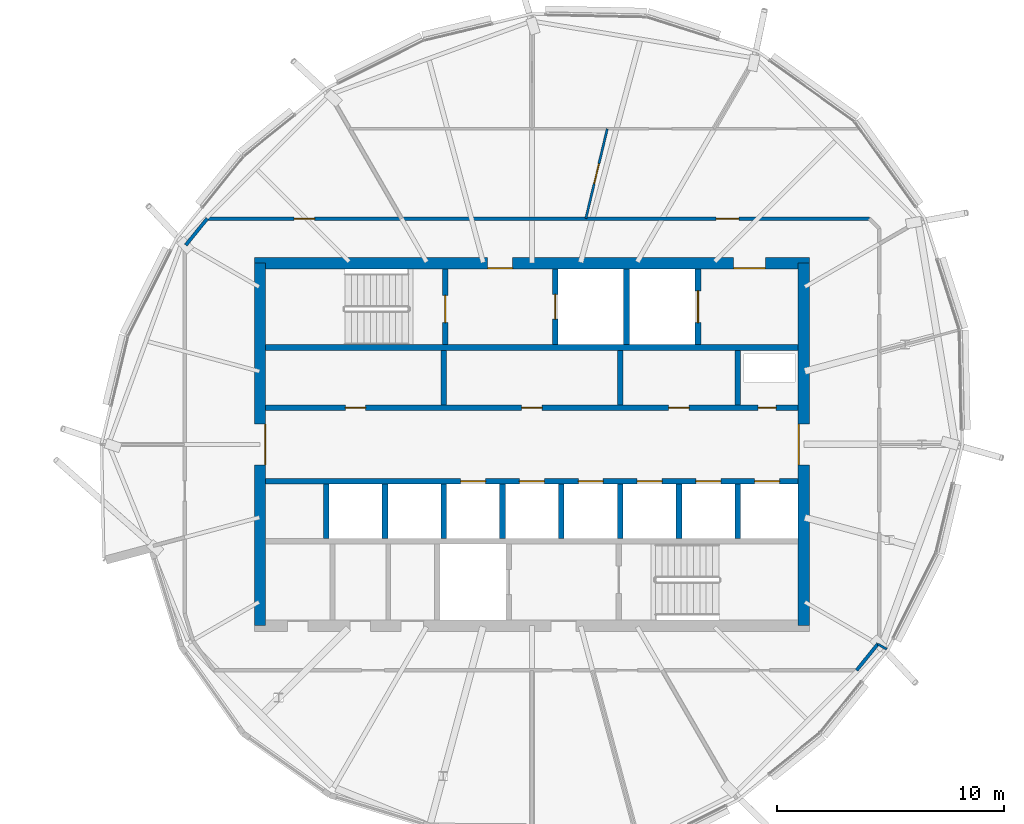
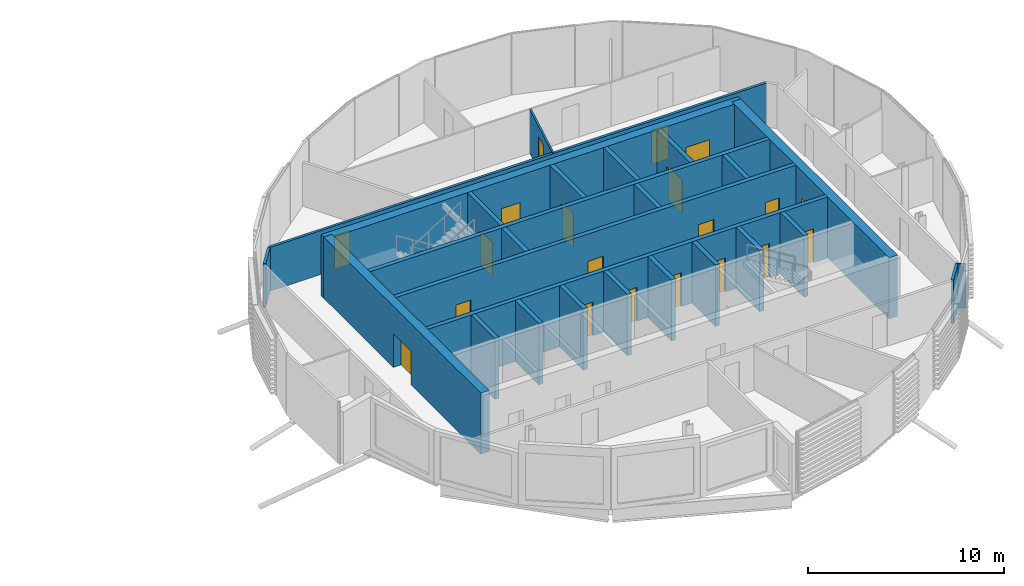
# One storey, part 22 of 36: 26 walls, 20 doors, 20 openings.
"""IFC4 building model written with IfcOpenShell, lengths in metres."""

from ifc_helpers import new_model, si_unit, direction, frame, frame_2d, origin, place, context, subcontext, project, spatial, rectangle, extrude, material, layer, layer_set, type_object, element, fill, save


model = new_model("IFC4")

# Units and contexts
model_context = context("Model", 3, precision=1e-05, world=origin(), true_north=direction((0.0, 1.0)))
body_context = subcontext(model_context, "Body", "Model", "MODEL_VIEW")
ifc_project = project(units=[si_unit("LENGTHUNIT", "METRE"), si_unit("AREAUNIT", "SQUARE_METRE"), si_unit("VOLUMEUNIT", "CUBIC_METRE"), si_unit("PLANEANGLEUNIT", "RADIAN"), si_unit("MASSUNIT", "GRAM", prefix="KILO")], contexts=[model_context])

# Site, building, storey
site_placement = place(None, origin())
site = spatial("IfcSite", under=ifc_project, at=site_placement, CompositionType="ELEMENT")
building_placement = place(site_placement, origin())
building = spatial("IfcBuilding", under=site, at=building_placement, Name="Rimbun Link Towers", CompositionType="ELEMENT")
storey_placement = place(building_placement, frame((0.0, 0.0, 248.5)))
storey = spatial("IfcBuildingStorey", under=building, at=storey_placement, Name="L61", CompositionType="ELEMENT", Elevation=248.5)

# Wall, openings, doors
ifc_material_1 = material(Name="Concrete C60/75", Category="concrete")
ifc_layer_1 = layer(ifc_material_1, 0.5)
ifc_layer_set_1 = layer_set([ifc_layer_1], Name="Core shear wall 500")
wall_type_1 = type_object("IfcWallType", Name="Core shear wall 500", PredefinedType="SHEAR", material=ifc_layer_set_1)
wall_1_placement = place(storey_placement, frame((19.5, 8.0, 0.0), z_axis=(0.0, 0.0, 1.0), x_axis=(1.0, 0.0, 0.0)))
wall_1 = element("IfcWall", 1, at=wall_1_placement, inside=storey, type_object=wall_type_1, Name="L61 T2 core wall N", PredefinedType="SHEAR", context=body_context, shape_type="SweptSolid", body=[
    extrude(rectangle(XDim=24.5, YDim=0.5, at=frame_2d((12.25, 0.0))), origin(), (0.0, 0.0, 1.0), 3.800048828125),
])
opening_1_placement = place(wall_1_placement, frame((10.300048828125, 0.0, 0.0)))
opening_1 = element("IfcOpeningElement", 2, at=opening_1_placement, cuts=wall_1, Name="Opening C2DCF01N", PredefinedType="OPENING", context=body_context, shape_type="SweptSolid", body=[
    extrude(rectangle(XDim=1.10009765625, YDim=2.10009765625, at=frame_2d((0.550048828125, 1.050048828125))), frame((0.0, 0.260009765625, 0.0), z_axis=(0.0, -1.0, 0.0), x_axis=(1.0, 0.0, 0.0)), (0.0, 0.0, 1.0), 0.52001953125),
])
opening_2_placement = place(wall_1_placement, frame((21.14990234375, 0.0, 0.0)))
opening_2 = element("IfcOpeningElement", 3, at=opening_2_placement, cuts=wall_1, Name="Opening C2DSL02N", PredefinedType="OPENING", context=body_context, shape_type="SweptSolid", body=[
    extrude(rectangle(XDim=1.39990234375, YDim=2.10009765625, at=frame_2d((0.699951171875, 1.050048828125))), frame((0.0, 0.260009765625, 0.0), z_axis=(0.0, -1.0, 0.0), x_axis=(1.0, 0.0, 0.0)), (0.0, 0.0, 1.0), 0.52001953125),
])
ifc_material_2 = material(Name="Steel fire door set", Category="steel")
door_type_1 = type_object("IfcDoorType", Name="Core fire door single", OperationType="SINGLE_SWING_LEFT", PredefinedType="DOOR", material=ifc_material_2)
door_1_placement = place(opening_1_placement, origin())
door_1 = element("IfcDoor", 4, at=door_1_placement, inside=storey, type_object=door_type_1, Name="L61 T2 firefighting lobby n door", OperationType="SINGLE_SWING_LEFT", OverallHeight=2.10009765625, OverallWidth=1.10009765625, PredefinedType="DOOR", context=body_context, shape_type="SweptSolid", body=[
    extrude(rectangle(XDim=1.10009765625, YDim=2.10009765625, at=frame_2d((0.550048828125, 1.050048828125))), frame((0.0, -0.2001953125, 0.0), z_axis=(0.0, -1.0, 0.0), x_axis=(1.0, 0.0, 0.0)), (0.0, 0.0, 1.0), 0.050048828125),
])
fill(opening_1, door_1)
ifc_material_3 = material(Name="Steel fire door set", Category="steel")
door_type_2 = type_object("IfcDoorType", Name="Service lobby door double", OperationType="DOUBLE_DOOR_SINGLE_SWING", PredefinedType="DOOR", material=ifc_material_3)
door_2_placement = place(opening_2_placement, origin())
door_2 = element("IfcDoor", 5, at=door_2_placement, inside=storey, type_object=door_type_2, Name="L61 T2 service lobby door", OperationType="DOUBLE_DOOR_SINGLE_SWING", OverallHeight=2.10009765625, OverallWidth=1.39990234375, PredefinedType="DOOR", context=body_context, shape_type="SweptSolid", body=[
    extrude(rectangle(XDim=1.39990234375, YDim=2.10009765625, at=frame_2d((0.699951171875, 1.050048828125))), frame((0.0, -0.2001953125, 0.0), z_axis=(0.0, -1.0, 0.0), x_axis=(1.0, 0.0, 0.0)), (0.0, 0.0, 1.0), 0.050048828125),
])
fill(opening_2, door_2)

# Wall, opening, door
wall_2_placement = place(storey_placement, frame((43.75, -8.0, 0.0), z_axis=(0.0, 0.0, 1.0), x_axis=(0.0, 1.0, 0.0)))
wall_2 = element("IfcWall", 6, at=wall_2_placement, inside=storey, type_object=wall_type_1, Name="L61 T2 core wall E", PredefinedType="SHEAR", context=body_context, shape_type="SweptSolid", body=[
    extrude(rectangle(XDim=16.0, YDim=0.5, at=frame_2d((8.0, 0.0))), origin(), (0.0, 0.0, 1.0), 3.800048828125),
])
opening_3_placement = place(wall_2_placement, frame((7.10009765625, 0.0, 0.0)))
opening_3 = element("IfcOpeningElement", 7, at=opening_3_placement, cuts=wall_2, Name="Opening C2DCL01E", PredefinedType="OPENING", context=body_context, shape_type="SweptSolid", body=[
    extrude(rectangle(XDim=1.800048828125, YDim=2.10009765625, at=frame_2d((0.89990234375, 1.050048828125))), frame((0.0, 0.260009765625, 0.0), z_axis=(0.0, -1.0, 0.0), x_axis=(1.0, 0.0, 0.0)), (0.0, 0.0, 1.0), 0.52001953125),
])
ifc_material_4 = material(Name="Steel fire door set", Category="steel")
door_type_3 = type_object("IfcDoorType", Name="Core lobby door double", OperationType="DOUBLE_DOOR_SINGLE_SWING", PredefinedType="DOOR", material=ifc_material_4)
door_3_placement = place(opening_3_placement, origin())
door_3 = element("IfcDoor", 8, at=door_3_placement, inside=storey, type_object=door_type_3, Name="L61 T2 lift lobby door", OperationType="DOUBLE_DOOR_SINGLE_SWING", OverallHeight=2.10009765625, OverallWidth=1.800048828125, PredefinedType="DOOR", context=body_context, shape_type="SweptSolid", body=[
    extrude(rectangle(XDim=1.800048828125, YDim=2.10009765625, at=frame_2d((0.89990234375, 1.050048828125))), frame((0.0, 0.25, 0.0), z_axis=(0.0, -1.0, 0.0), x_axis=(1.0, 0.0, 0.0)), (0.0, 0.0, 1.0), 0.050048828125),
])
fill(opening_3, door_3)

wall_3_placement = place(storey_placement, frame((19.75, -8.0, 0.0), z_axis=(0.0, 0.0, 1.0), x_axis=(0.0, 1.0, 0.0)))
wall_3 = element("IfcWall", 9, at=wall_3_placement, inside=storey, type_object=wall_type_1, Name="L61 T2 core wall W", PredefinedType="SHEAR", context=body_context, shape_type="SweptSolid", body=[
    extrude(rectangle(XDim=16.0, YDim=0.5, at=frame_2d((8.0, 0.0))), origin(), (0.0, 0.0, 1.0), 3.800048828125),
])
opening_4_placement = place(wall_3_placement, frame((7.10009765625, 0.0, 0.0)))
opening_4 = element("IfcOpeningElement", 10, at=opening_4_placement, cuts=wall_3, Name="Opening C2DCL01W", PredefinedType="OPENING", context=body_context, shape_type="SweptSolid", body=[
    extrude(rectangle(XDim=1.800048828125, YDim=2.10009765625, at=frame_2d((0.89990234375, 1.050048828125))), frame((0.0, 0.260009765625, 0.0), z_axis=(0.0, -1.0, 0.0), x_axis=(1.0, 0.0, 0.0)), (0.0, 0.0, 1.0), 0.52001953125),
])
door_4_placement = place(opening_4_placement, origin())
door_4 = element("IfcDoor", 11, at=door_4_placement, inside=storey, type_object=door_type_3, Name="L61 T2 lift lobby door", OperationType="DOUBLE_DOOR_SINGLE_SWING", OverallHeight=2.10009765625, OverallWidth=1.800048828125, PredefinedType="DOOR", context=body_context, shape_type="SweptSolid", body=[
    extrude(rectangle(XDim=1.800048828125, YDim=2.10009765625, at=frame_2d((0.89990234375, 1.050048828125))), frame((0.0, -0.2001953125, 0.0), z_axis=(0.0, -1.0, 0.0), x_axis=(1.0, 0.0, 0.0)), (0.0, 0.0, 1.0), 0.050048828125),
])
fill(opening_4, door_4)

# Walls
ifc_material_5 = material(Name="Plasterboard on steel stud, mineral wool", Category="steel")
ifc_layer_2 = layer(ifc_material_5, 0.14990234375)
ifc_layer_set_2 = layer_set([ifc_layer_2], Name="Corridor wall EI 30 150 mm")
wall_type_2 = type_object("IfcWallType", Name="Corridor wall EI 30 150 mm", PredefinedType="PARTITIONING", material=ifc_layer_set_2)
for number, where, z_axis, x_axis, name in (
    (12, (46.07568359375, -9.965087890625, 0.0), (0.0, 0.0, 1.0), (0.629146995638, 0.77728634227, 0.0), "Corridor wall EI 30 150 mm"),
    (13, (17.42431640625, 9.965087890625, 0.0), (0.0, 0.0, 1.0), (-0.629146995638, -0.77728634227, 0.0), "Corridor wall EI 30 150 mm"),
):
    element("IfcWall", number, at=place(storey_placement, frame(where, z_axis=z_axis, x_axis=x_axis)), inside=storey, type_object=wall_type_2, Name=name, PredefinedType="PARTITIONING", context=body_context, shape_type="SweptSolid", body=[
        extrude(rectangle(XDim=1.508056640625, YDim=0.14990234375, at=frame_2d((0.75390625, 0.0))), origin(), (0.0, 0.0, 1.0), 2.721923828125),
    ])

# Wall, openings, doors
wall_4_placement = place(storey_placement, frame((17.42431640625, 9.965087890625, 0.0), z_axis=(0.0, 0.0, 1.0), x_axis=(1.0, 0.0, 0.0)))
wall_4 = element("IfcWall", 14, at=wall_4_placement, inside=storey, type_object=wall_type_2, Name="Corridor wall EI 30 150 mm", PredefinedType="PARTITIONING", context=body_context, shape_type="SweptSolid", body=[
    extrude(rectangle(XDim=29.20947265625, YDim=0.14990234375, at=frame_2d((14.604736328125, 0.0))), origin(), (0.0, 0.0, 1.0), 2.721923828125),
])
opening_5_placement = place(wall_4_placement, frame((22.456787109375, 0.0, 0.0)))
opening_5 = element("IfcOpeningElement", 15, at=opening_5_placement, cuts=wall_4, Name="Opening D01", PredefinedType="OPENING", context=body_context, shape_type="SweptSolid", body=[
    extrude(rectangle(XDim=1.0, YDim=2.10009765625, at=frame_2d((0.5, 1.050048828125))), frame((0.0, 0.0849609375, 0.0), z_axis=(0.0, -1.0, 0.0), x_axis=(1.0, 0.0, 0.0)), (0.0, 0.0, 1.0), 0.169921875),
])
opening_6_placement = place(wall_4_placement, frame((3.836181640625, 0.0, 0.0)))
opening_6 = element("IfcOpeningElement", 16, at=opening_6_placement, cuts=wall_4, Name="Opening D02", PredefinedType="OPENING", context=body_context, shape_type="SweptSolid", body=[
    extrude(rectangle(XDim=0.89990234375, YDim=2.10009765625, at=frame_2d((0.449951171875, 1.050048828125))), frame((0.0, 0.0849609375, 0.0), z_axis=(0.0, -1.0, 0.0), x_axis=(1.0, 0.0, 0.0)), (0.0, 0.0, 1.0), 0.169921875),
])
ifc_material_6 = material(Name="Fire-resisting timber door leaf", Category="wood")
door_type_4 = type_object("IfcDoorType", Name="Fire door FD30S 1000", OperationType="NOTDEFINED", PredefinedType="DOOR", material=ifc_material_6)
door_5_placement = place(opening_5_placement, origin())
door_5 = element("IfcDoor", 17, at=door_5_placement, inside=storey, type_object=door_type_4, Name="Fire door FD30S 1000 to Reception", OperationType="SINGLE_SWING_LEFT", OverallHeight=2.10009765625, OverallWidth=1.0, PredefinedType="DOOR", context=body_context, shape_type="SweptSolid", body=[
    extrude(rectangle(XDim=1.0, YDim=2.10009765625, at=frame_2d((0.5, 1.050048828125))), frame((0.0, 0.02490234375, 0.0), z_axis=(0.0, -1.0, 0.0), x_axis=(1.0, 0.0, 0.0)), (0.0, 0.0, 1.0), 0.050048828125),
])
fill(opening_5, door_5)
ifc_material_7 = material(Name="Fire-resisting timber door leaf", Category="wood")
door_type_5 = type_object("IfcDoorType", Name="Fire door FD30S 900", OperationType="NOTDEFINED", PredefinedType="DOOR", material=ifc_material_7)
door_6_placement = place(opening_6_placement, origin())
door_6 = element("IfcDoor", 18, at=door_6_placement, inside=storey, type_object=door_type_5, Name="Fire door FD30S 900 to Boardroom", OperationType="SINGLE_SWING_RIGHT", OverallHeight=2.10009765625, OverallWidth=0.89990234375, PredefinedType="DOOR", context=body_context, shape_type="SweptSolid", body=[
    extrude(rectangle(XDim=0.89990234375, YDim=2.10009765625, at=frame_2d((0.449951171875, 1.050048828125))), frame((0.0, 0.02490234375, 0.0), z_axis=(0.0, -1.0, 0.0), x_axis=(1.0, 0.0, 0.0)), (0.0, 0.0, 1.0), 0.050048828125),
])
fill(opening_6, door_6)

# Wall
ifc_material_8 = material(Name="Plasterboard on steel stud", Category="steel")
ifc_layer_3 = layer(ifc_material_8, 0.10009765625)
ifc_layer_set_3 = layer_set([ifc_layer_3], Name="Plasterboard partition 100 mm")
wall_type_3 = type_object("IfcWallType", Name="Plasterboard partition 100 mm", PredefinedType="PARTITIONING", material=ifc_layer_set_3)
wall_5_placement = place(storey_placement, frame((47.40478515625, -9.038330078125, 0.0), z_axis=(0.0, 0.0, 1.0), x_axis=(-0.866158831638, 0.499768824934, 0.0)))
element("IfcWall", 19, at=wall_5_placement, inside=storey, type_object=wall_type_3, Name="Plasterboard partition 100 mm", PredefinedType="PARTITIONING", context=body_context, shape_type="SweptSolid", body=[
    extrude(rectangle(XDim=0.455810546875, YDim=0.10009765625, at=frame_2d((0.22802734375, 0.0))), origin(), (0.0, 0.0, 1.0), 2.721923828125),
])

# Wall, opening, door
wall_6_placement = place(storey_placement, frame((34.128662109375, 9.965087890625, 0.0), z_axis=(0.0, 0.0, 1.0), x_axis=(0.232193393639, 0.972669639677, 0.0)))
wall_6 = element("IfcWall", 20, at=wall_6_placement, inside=storey, type_object=wall_type_3, Name="Plasterboard partition 100 mm", PredefinedType="PARTITIONING", context=body_context, shape_type="SweptSolid", body=[
    extrude(rectangle(XDim=4.0712890625, YDim=0.10009765625, at=frame_2d((2.03564453125, 0.0))), origin(), (0.0, 0.0, 1.0), 2.721923828125),
])
opening_7_placement = place(wall_6_placement, frame((1.585693359375, 0.0, 0.0)))
opening_7 = element("IfcOpeningElement", 21, at=opening_7_placement, cuts=wall_6, Name="Opening D04", PredefinedType="OPENING", context=body_context, shape_type="SweptSolid", body=[
    extrude(rectangle(XDim=0.89990234375, YDim=2.10009765625, at=frame_2d((0.449951171875, 1.050048828125))), frame((0.0, 0.06005859375, 0.0), z_axis=(0.0, -1.0, 0.0), x_axis=(1.0, 0.0, 0.0)), (0.0, 0.0, 1.0), 0.1201171875),
])
ifc_material_9 = material(Name="Timber door leaf", Category="wood")
door_type_6 = type_object("IfcDoorType", Name="Flush door 900", OperationType="NOTDEFINED", PredefinedType="DOOR", material=ifc_material_9)
door_7_placement = place(opening_7_placement, origin())
door_7 = element("IfcDoor", 22, at=door_7_placement, inside=storey, type_object=door_type_6, Name="Flush door 900 to Meeting room", OperationType="SINGLE_SWING_LEFT", OverallHeight=2.10009765625, OverallWidth=0.89990234375, PredefinedType="DOOR", context=body_context, shape_type="SweptSolid", body=[
    extrude(rectangle(XDim=0.89990234375, YDim=2.10009765625, at=frame_2d((0.449951171875, 1.050048828125))), frame((0.0, 0.02490234375, 0.0), z_axis=(0.0, -1.0, 0.0), x_axis=(1.0, 0.0, 0.0)), (0.0, 0.0, 1.0), 0.050048828125),
])
fill(opening_7, door_7)

# Wall
ifc_material_10 = material(Name="Concrete C60/75", Category="concrete")
ifc_layer_4 = layer(ifc_material_10, 0.25)
ifc_layer_set_4 = layer_set([ifc_layer_4], Name="Shaft wall 250")
wall_type_4 = type_object("IfcWallType", Name="Shaft wall 250", PredefinedType="SHEAR", material=ifc_layer_set_4)
wall_7_placement = place(storey_placement, frame((20.0, 4.27490234375, 0.0), z_axis=(0.0, 0.0, 1.0), x_axis=(1.0, 0.0, 0.0)))
element("IfcWall", 23, at=wall_7_placement, inside=storey, type_object=wall_type_4, Name="L61 T2 core wall BN", PredefinedType="SHEAR", context=body_context, shape_type="SweptSolid", body=[
    extrude(rectangle(XDim=23.5, YDim=0.25, at=frame_2d((11.75, 0.0))), origin(), (0.0, 0.0, 1.0), 3.800048828125),
])

# Wall, openings, doors
wall_8_placement = place(storey_placement, frame((20.0, 1.625, 0.0), z_axis=(0.0, 0.0, 1.0), x_axis=(1.0, 0.0, 0.0)))
wall_8 = element("IfcWall", 24, at=wall_8_placement, inside=storey, type_object=wall_type_4, Name="L61 T2 core wall FN", PredefinedType="SHEAR", context=body_context, shape_type="SweptSolid", body=[
    extrude(rectangle(XDim=23.5, YDim=0.25, at=frame_2d((11.75, 0.0))), origin(), (0.0, 0.0, 1.0), 3.800048828125),
])
opening_8_placement = place(wall_8_placement, frame((3.5166015625, 0.0, 0.0)))
opening_8 = element("IfcOpeningElement", 25, at=opening_8_placement, cuts=wall_8, Name="Opening C2DRS01FN", PredefinedType="OPENING", context=body_context, shape_type="SweptSolid", body=[
    extrude(rectangle(XDim=0.89990234375, YDim=2.10009765625, at=frame_2d((0.449951171875, 1.050048828125))), frame((0.0, 0.135009765625, 0.0), z_axis=(0.0, -1.0, 0.0), x_axis=(1.0, 0.0, 0.0)), (0.0, 0.0, 1.0), 0.27001953125),
])
opening_9_placement = place(wall_8_placement, frame((11.300048828125, 0.0, 0.0)))
opening_9 = element("IfcOpeningElement", 26, at=opening_9_placement, cuts=wall_8, Name="Opening C2DRS02FN", PredefinedType="OPENING", context=body_context, shape_type="SweptSolid", body=[
    extrude(rectangle(XDim=0.89990234375, YDim=2.10009765625, at=frame_2d((0.449951171875, 1.050048828125))), frame((0.0, 0.135009765625, 0.0), z_axis=(0.0, -1.0, 0.0), x_axis=(1.0, 0.0, 0.0)), (0.0, 0.0, 1.0), 0.27001953125),
])
opening_10_placement = place(wall_8_placement, frame((17.7861328125, 0.0, 0.0)))
opening_10 = element("IfcOpeningElement", 27, at=opening_10_placement, cuts=wall_8, Name="Opening C2DRS03FN", PredefinedType="OPENING", context=body_context, shape_type="SweptSolid", body=[
    extrude(rectangle(XDim=0.89990234375, YDim=2.10009765625, at=frame_2d((0.449951171875, 1.050048828125))), frame((0.0, 0.135009765625, 0.0), z_axis=(0.0, -1.0, 0.0), x_axis=(1.0, 0.0, 0.0)), (0.0, 0.0, 1.0), 0.27001953125),
])
opening_11_placement = place(wall_8_placement, frame((21.727783203125, 0.0, 0.0)))
opening_11 = element("IfcOpeningElement", 28, at=opening_11_placement, cuts=wall_8, Name="Opening C2DRA04FN", PredefinedType="OPENING", context=body_context, shape_type="SweptSolid", body=[
    extrude(rectangle(XDim=0.800048828125, YDim=2.10009765625, at=frame_2d((0.39990234375, 1.050048828125))), frame((0.0, 0.135009765625, 0.0), z_axis=(0.0, -1.0, 0.0), x_axis=(1.0, 0.0, 0.0)), (0.0, 0.0, 1.0), 0.27001953125),
])
ifc_material_11 = material(Name="Steel fire door set", Category="steel")
door_type_7 = type_object("IfcDoorType", Name="Core riser door", OperationType="SINGLE_SWING_LEFT", PredefinedType="DOOR", material=ifc_material_11)
door_8_placement = place(opening_8_placement, origin())
door_8 = element("IfcDoor", 29, at=door_8_placement, inside=storey, type_object=door_type_7, Name="L61 T2 plant room door", OperationType="SINGLE_SWING_LEFT", OverallHeight=2.10009765625, OverallWidth=0.89990234375, PredefinedType="DOOR", context=body_context, shape_type="SweptSolid", body=[
    extrude(rectangle(XDim=0.89990234375, YDim=2.10009765625, at=frame_2d((0.449951171875, 1.050048828125))), frame((0.0, 0.02490234375, 0.0), z_axis=(0.0, -1.0, 0.0), x_axis=(1.0, 0.0, 0.0)), (0.0, 0.0, 1.0), 0.050048828125),
])
fill(opening_8, door_8)
door_9_placement = place(opening_9_placement, origin())
door_9 = element("IfcDoor", 30, at=door_9_placement, inside=storey, type_object=door_type_7, Name="L61 T2 wellness room door", OperationType="SINGLE_SWING_LEFT", OverallHeight=2.10009765625, OverallWidth=0.89990234375, PredefinedType="DOOR", context=body_context, shape_type="SweptSolid", body=[
    extrude(rectangle(XDim=0.89990234375, YDim=2.10009765625, at=frame_2d((0.449951171875, 1.050048828125))), frame((0.0, 0.02490234375, 0.0), z_axis=(0.0, -1.0, 0.0), x_axis=(1.0, 0.0, 0.0)), (0.0, 0.0, 1.0), 0.050048828125),
])
fill(opening_9, door_9)
door_10_placement = place(opening_10_placement, origin())
door_10 = element("IfcDoor", 31, at=door_10_placement, inside=storey, type_object=door_type_7, Name="L61 T2 pantry door", OperationType="SINGLE_SWING_LEFT", OverallHeight=2.10009765625, OverallWidth=0.89990234375, PredefinedType="DOOR", context=body_context, shape_type="SweptSolid", body=[
    extrude(rectangle(XDim=0.89990234375, YDim=2.10009765625, at=frame_2d((0.449951171875, 1.050048828125))), frame((0.0, 0.02490234375, 0.0), z_axis=(0.0, -1.0, 0.0), x_axis=(1.0, 0.0, 0.0)), (0.0, 0.0, 1.0), 0.050048828125),
])
fill(opening_10, door_10)
ifc_material_12 = material(Name="Steel fire door set", Category="steel")
door_type_8 = type_object("IfcDoorType", Name="Riser access door 800 x 2100", OperationType="SINGLE_SWING_LEFT", PredefinedType="DOOR", material=ifc_material_12)
door_11_placement = place(opening_11_placement, origin())
door_11 = element("IfcDoor", 32, at=door_11_placement, inside=storey, type_object=door_type_8, Name="L61 T2 riser cupboard door", OperationType="SINGLE_SWING_LEFT", OverallHeight=2.10009765625, OverallWidth=0.800048828125, PredefinedType="DOOR", context=body_context, shape_type="SweptSolid", body=[
    extrude(rectangle(XDim=0.800048828125, YDim=2.10009765625, at=frame_2d((0.39990234375, 1.050048828125))), frame((0.0, 0.02490234375, 0.0), z_axis=(0.0, -1.0, 0.0), x_axis=(1.0, 0.0, 0.0)), (0.0, 0.0, 1.0), 0.050048828125),
])
fill(opening_11, door_11)

wall_9_placement = place(storey_placement, frame((20.0, -1.625, 0.0), z_axis=(0.0, 0.0, 1.0), x_axis=(1.0, 0.0, 0.0)))
wall_9 = element("IfcWall", 33, at=wall_9_placement, inside=storey, type_object=wall_type_4, Name="L61 T2 core wall FS", PredefinedType="SHEAR", context=body_context, shape_type="SweptSolid", body=[
    extrude(rectangle(XDim=23.5, YDim=0.25, at=frame_2d((11.75, 0.0))), origin(), (0.0, 0.0, 1.0), 3.800048828125),
])
opening_12_placement = place(wall_9_placement, frame((8.605712890625, 0.0, 0.0)))
opening_12 = element("IfcOpeningElement", 34, at=opening_12_placement, cuts=wall_9, Name="Opening LD-T2-HR1", PredefinedType="OPENING", context=body_context, shape_type="SweptSolid", body=[
    extrude(rectangle(XDim=1.10009765625, YDim=2.10009765625, at=frame_2d((0.550048828125, 1.050048828125))), frame((0.0, 0.135009765625, 0.0), z_axis=(0.0, -1.0, 0.0), x_axis=(1.0, 0.0, 0.0)), (0.0, 0.0, 1.0), 0.27001953125),
])
opening_13_placement = place(wall_9_placement, frame((11.199951171875, 0.0, 0.0)))
opening_13 = element("IfcOpeningElement", 35, at=opening_13_placement, cuts=wall_9, Name="Opening LD-T2-HR2", PredefinedType="OPENING", context=body_context, shape_type="SweptSolid", body=[
    extrude(rectangle(XDim=1.10009765625, YDim=2.10009765625, at=frame_2d((0.550048828125, 1.050048828125))), frame((0.0, 0.135009765625, 0.0), z_axis=(0.0, -1.0, 0.0), x_axis=(1.0, 0.0, 0.0)), (0.0, 0.0, 1.0), 0.27001953125),
])
opening_14_placement = place(wall_9_placement, frame((13.79443359375, 0.0, 0.0)))
opening_14 = element("IfcOpeningElement", 36, at=opening_14_placement, cuts=wall_9, Name="Opening LD-T2-HR3", PredefinedType="OPENING", context=body_context, shape_type="SweptSolid", body=[
    extrude(rectangle(XDim=1.10009765625, YDim=2.10009765625, at=frame_2d((0.550048828125, 1.050048828125))), frame((0.0, 0.135009765625, 0.0), z_axis=(0.0, -1.0, 0.0), x_axis=(1.0, 0.0, 0.0)), (0.0, 0.0, 1.0), 0.27001953125),
])
opening_15_placement = place(wall_9_placement, frame((16.388916015625, 0.0, 0.0)))
opening_15 = element("IfcOpeningElement", 37, at=opening_15_placement, cuts=wall_9, Name="Opening LD-T2-HR4", PredefinedType="OPENING", context=body_context, shape_type="SweptSolid", body=[
    extrude(rectangle(XDim=1.10009765625, YDim=2.10009765625, at=frame_2d((0.550048828125, 1.050048828125))), frame((0.0, 0.135009765625, 0.0), z_axis=(0.0, -1.0, 0.0), x_axis=(1.0, 0.0, 0.0)), (0.0, 0.0, 1.0), 0.27001953125),
])
opening_16_placement = place(wall_9_placement, frame((18.9833984375, 0.0, 0.0)))
opening_16 = element("IfcOpeningElement", 38, at=opening_16_placement, cuts=wall_9, Name="Opening LD-T2-HR5", PredefinedType="OPENING", context=body_context, shape_type="SweptSolid", body=[
    extrude(rectangle(XDim=1.10009765625, YDim=2.10009765625, at=frame_2d((0.550048828125, 1.050048828125))), frame((0.0, 0.135009765625, 0.0), z_axis=(0.0, -1.0, 0.0), x_axis=(1.0, 0.0, 0.0)), (0.0, 0.0, 1.0), 0.27001953125),
])
opening_17_placement = place(wall_9_placement, frame((21.577880859375, 0.0, 0.0)))
opening_17 = element("IfcOpeningElement", 39, at=opening_17_placement, cuts=wall_9, Name="Opening LD-T2-HR6", PredefinedType="OPENING", context=body_context, shape_type="SweptSolid", body=[
    extrude(rectangle(XDim=1.10009765625, YDim=2.10009765625, at=frame_2d((0.550048828125, 1.050048828125))), frame((0.0, 0.135009765625, 0.0), z_axis=(0.0, -1.0, 0.0), x_axis=(1.0, 0.0, 0.0)), (0.0, 0.0, 1.0), 0.27001953125),
])
ifc_material_13 = material(Name="Stainless steel grade 316", Category="steel")
door_type_9 = type_object("IfcDoorType", Name="Lift landing door", OperationType="DOUBLE_DOOR_SLIDING", PredefinedType="DOOR", material=ifc_material_13)
door_12_placement = place(opening_12_placement, origin())
door_12 = element("IfcDoor", 40, at=door_12_placement, inside=storey, type_object=door_type_9, Name="L61 T2 lift HR1 landing door", OperationType="DOUBLE_DOOR_SLIDING", OverallHeight=2.10009765625, OverallWidth=1.10009765625, PredefinedType="DOOR", context=body_context, shape_type="SweptSolid", body=[
    extrude(rectangle(XDim=1.10009765625, YDim=2.10009765625, at=frame_2d((0.550048828125, 1.050048828125))), frame((0.0, 0.02490234375, 0.0), z_axis=(0.0, -1.0, 0.0), x_axis=(1.0, 0.0, 0.0)), (0.0, 0.0, 1.0), 0.050048828125),
])
fill(opening_12, door_12)
door_13_placement = place(opening_13_placement, origin())
door_13 = element("IfcDoor", 41, at=door_13_placement, inside=storey, type_object=door_type_9, Name="L61 T2 lift HR2 landing door", OperationType="DOUBLE_DOOR_SLIDING", OverallHeight=2.10009765625, OverallWidth=1.10009765625, PredefinedType="DOOR", context=body_context, shape_type="SweptSolid", body=[
    extrude(rectangle(XDim=1.10009765625, YDim=2.10009765625, at=frame_2d((0.550048828125, 1.050048828125))), frame((0.0, 0.02490234375, 0.0), z_axis=(0.0, -1.0, 0.0), x_axis=(1.0, 0.0, 0.0)), (0.0, 0.0, 1.0), 0.050048828125),
])
fill(opening_13, door_13)
door_14_placement = place(opening_14_placement, origin())
door_14 = element("IfcDoor", 42, at=door_14_placement, inside=storey, type_object=door_type_9, Name="L61 T2 lift HR3 landing door", OperationType="DOUBLE_DOOR_SLIDING", OverallHeight=2.10009765625, OverallWidth=1.10009765625, PredefinedType="DOOR", context=body_context, shape_type="SweptSolid", body=[
    extrude(rectangle(XDim=1.10009765625, YDim=2.10009765625, at=frame_2d((0.550048828125, 1.050048828125))), frame((0.0, 0.02490234375, 0.0), z_axis=(0.0, -1.0, 0.0), x_axis=(1.0, 0.0, 0.0)), (0.0, 0.0, 1.0), 0.050048828125),
])
fill(opening_14, door_14)
door_15_placement = place(opening_15_placement, origin())
door_15 = element("IfcDoor", 43, at=door_15_placement, inside=storey, type_object=door_type_9, Name="L61 T2 lift HR4 landing door", OperationType="DOUBLE_DOOR_SLIDING", OverallHeight=2.10009765625, OverallWidth=1.10009765625, PredefinedType="DOOR", context=body_context, shape_type="SweptSolid", body=[
    extrude(rectangle(XDim=1.10009765625, YDim=2.10009765625, at=frame_2d((0.550048828125, 1.050048828125))), frame((0.0, 0.02490234375, 0.0), z_axis=(0.0, -1.0, 0.0), x_axis=(1.0, 0.0, 0.0)), (0.0, 0.0, 1.0), 0.050048828125),
])
fill(opening_15, door_15)
door_16_placement = place(opening_16_placement, origin())
door_16 = element("IfcDoor", 44, at=door_16_placement, inside=storey, type_object=door_type_9, Name="L61 T2 lift HR5 landing door", OperationType="DOUBLE_DOOR_SLIDING", OverallHeight=2.10009765625, OverallWidth=1.10009765625, PredefinedType="DOOR", context=body_context, shape_type="SweptSolid", body=[
    extrude(rectangle(XDim=1.10009765625, YDim=2.10009765625, at=frame_2d((0.550048828125, 1.050048828125))), frame((0.0, 0.02490234375, 0.0), z_axis=(0.0, -1.0, 0.0), x_axis=(1.0, 0.0, 0.0)), (0.0, 0.0, 1.0), 0.050048828125),
])
fill(opening_16, door_16)
door_17_placement = place(opening_17_placement, origin())
door_17 = element("IfcDoor", 45, at=door_17_placement, inside=storey, type_object=door_type_9, Name="L61 T2 lift HR6 landing door", OperationType="DOUBLE_DOOR_SLIDING", OverallHeight=2.10009765625, OverallWidth=1.10009765625, PredefinedType="DOOR", context=body_context, shape_type="SweptSolid", body=[
    extrude(rectangle(XDim=1.10009765625, YDim=2.10009765625, at=frame_2d((0.550048828125, 1.050048828125))), frame((0.0, 0.02490234375, 0.0), z_axis=(0.0, -1.0, 0.0), x_axis=(1.0, 0.0, 0.0)), (0.0, 0.0, 1.0), 0.050048828125),
])
fill(opening_17, door_17)

# Walls
for number, where, z_axis, x_axis, name in (
    (46, (27.8583984375, 1.75, 0.0), (0.0, 0.0, 1.0), (0.0, 1.0, 0.0), "L61 T2 core wall DN2"),
    (47, (35.6416015625, 1.75, 0.0), (0.0, 0.0, 1.0), (0.0, 1.0, 0.0), "L61 T2 core wall DN5"),
    (48, (40.83056640625, 1.75, 0.0), (0.0, 0.0, 1.0), (0.0, 1.0, 0.0), "L61 T2 core wall DN7"),
    (49, (22.66943359375, -4.14990234375, 0.0), (0.0, 0.0, 1.0), (0.0, 1.0, 0.0), "L61 T2 core wall DS0"),
    (50, (25.263916015625, -4.14990234375, 0.0), (0.0, 0.0, 1.0), (0.0, 1.0, 0.0), "L61 T2 core wall DS1"),
    (51, (27.8583984375, -4.14990234375, 0.0), (0.0, 0.0, 1.0), (0.0, 1.0, 0.0), "L61 T2 core wall DS2"),
    (52, (30.452880859375, -4.14990234375, 0.0), (0.0, 0.0, 1.0), (0.0, 1.0, 0.0), "L61 T2 core wall DS3"),
    (53, (33.047119140625, -4.14990234375, 0.0), (0.0, 0.0, 1.0), (0.0, 1.0, 0.0), "L61 T2 core wall DS4"),
    (54, (35.6416015625, -4.14990234375, 0.0), (0.0, 0.0, 1.0), (0.0, 1.0, 0.0), "L61 T2 core wall DS5"),
    (55, (38.236083984375, -4.14990234375, 0.0), (0.0, 0.0, 1.0), (0.0, 1.0, 0.0), "L61 T2 core wall DS6"),
    (56, (40.83056640625, -4.14990234375, 0.0), (0.0, 0.0, 1.0), (0.0, 1.0, 0.0), "L61 T2 core wall DS7"),
):
    element("IfcWall", number, at=place(storey_placement, frame(where, z_axis=z_axis, x_axis=x_axis)), inside=storey, type_object=wall_type_4, Name=name, PredefinedType="SHEAR", context=body_context, shape_type="SweptSolid", body=[
        extrude(rectangle(XDim=2.39990234375, YDim=0.25, at=frame_2d((1.199951171875, 0.0))), origin(), (0.0, 0.0, 1.0), 3.800048828125),
    ])

# Wall, opening, door
wall_10_placement = place(storey_placement, frame((27.925048828125, 4.39990234375, 0.0), z_axis=(0.0, 0.0, 1.0), x_axis=(0.0, 1.0, 0.0)))
wall_10 = element("IfcWall", 57, at=wall_10_placement, inside=storey, type_object=wall_type_4, Name="L61 T2 core wall A1", PredefinedType="SHEAR", context=body_context, shape_type="SweptSolid", body=[
    extrude(rectangle(XDim=3.35009765625, YDim=0.25, at=frame_2d((1.675048828125, 0.0))), origin(), (0.0, 0.0, 1.0), 3.800048828125),
])
opening_18_placement = place(wall_10_placement, frame((0.97509765625, 0.0, 0.0)))
opening_18 = element("IfcOpeningElement", 58, at=opening_18_placement, cuts=wall_10, Name="Opening C2DST01A1", PredefinedType="OPENING", context=body_context, shape_type="SweptSolid", body=[
    extrude(rectangle(XDim=1.199951171875, YDim=2.10009765625, at=frame_2d((0.60009765625, 1.050048828125))), frame((0.0, 0.135009765625, 0.0), z_axis=(0.0, -1.0, 0.0), x_axis=(1.0, 0.0, 0.0)), (0.0, 0.0, 1.0), 0.27001953125),
])
ifc_material_14 = material(Name="Steel fire door set", Category="steel")
door_type_10 = type_object("IfcDoorType", Name="Stair door", OperationType="SINGLE_SWING_LEFT", PredefinedType="DOOR", material=ifc_material_14)
door_18_placement = place(opening_18_placement, origin())
door_18 = element("IfcDoor", 59, at=door_18_placement, inside=storey, type_object=door_type_10, Name="L61 T2 stair a door", OperationType="SINGLE_SWING_RIGHT", OverallHeight=2.10009765625, OverallWidth=1.199951171875, PredefinedType="DOOR", context=body_context, shape_type="SweptSolid", body=[
    extrude(rectangle(XDim=1.199951171875, YDim=2.10009765625, at=frame_2d((0.60009765625, 1.050048828125))), frame((0.0, 0.02490234375, 0.0), z_axis=(0.0, -1.0, 0.0), x_axis=(1.0, 0.0, 0.0)), (0.0, 0.0, 1.0), 0.050048828125),
])
fill(opening_18, door_18)

wall_11_placement = place(storey_placement, frame((32.77490234375, 4.39990234375, 0.0), z_axis=(0.0, 0.0, 1.0), x_axis=(0.0, 1.0, 0.0)))
wall_11 = element("IfcWall", 60, at=wall_11_placement, inside=storey, type_object=wall_type_4, Name="L61 T2 core wall A2", PredefinedType="SHEAR", context=body_context, shape_type="SweptSolid", body=[
    extrude(rectangle(XDim=3.35009765625, YDim=0.25, at=frame_2d((1.675048828125, 0.0))), origin(), (0.0, 0.0, 1.0), 3.800048828125),
])
opening_19_placement = place(wall_11_placement, frame((1.125, 0.0, 0.0)))
opening_19 = element("IfcOpeningElement", 61, at=opening_19_placement, cuts=wall_11, Name="Opening LD-T2-FF1", PredefinedType="OPENING", context=body_context, shape_type="SweptSolid", body=[
    extrude(rectangle(XDim=1.10009765625, YDim=2.10009765625, at=frame_2d((0.550048828125, 1.050048828125))), frame((0.0, 0.135009765625, 0.0), z_axis=(0.0, -1.0, 0.0), x_axis=(1.0, 0.0, 0.0)), (0.0, 0.0, 1.0), 0.27001953125),
])
door_19_placement = place(opening_19_placement, origin())
door_19 = element("IfcDoor", 62, at=door_19_placement, inside=storey, type_object=door_type_9, Name="L61 T2 lift FF1 landing door", OperationType="DOUBLE_DOOR_SLIDING", OverallHeight=2.10009765625, OverallWidth=1.10009765625, PredefinedType="DOOR", context=body_context, shape_type="SweptSolid", body=[
    extrude(rectangle(XDim=1.10009765625, YDim=2.10009765625, at=frame_2d((0.550048828125, 1.050048828125))), frame((0.0, 0.02490234375, 0.0), z_axis=(0.0, -1.0, 0.0), x_axis=(1.0, 0.0, 0.0)), (0.0, 0.0, 1.0), 0.050048828125),
])
fill(opening_19, door_19)

# Wall
wall_12_placement = place(storey_placement, frame((35.925048828125, 4.39990234375, 0.0), z_axis=(0.0, 0.0, 1.0), x_axis=(0.0, 1.0, 0.0)))
element("IfcWall", 63, at=wall_12_placement, inside=storey, type_object=wall_type_4, Name="L61 T2 core wall A3", PredefinedType="SHEAR", context=body_context, shape_type="SweptSolid", body=[
    extrude(rectangle(XDim=3.35009765625, YDim=0.25, at=frame_2d((1.675048828125, 0.0))), origin(), (0.0, 0.0, 1.0), 3.800048828125),
])

# Wall, opening, door
wall_13_placement = place(storey_placement, frame((39.074951171875, 4.39990234375, 0.0), z_axis=(0.0, 0.0, 1.0), x_axis=(0.0, 1.0, 0.0)))
wall_13 = element("IfcWall", 64, at=wall_13_placement, inside=storey, type_object=wall_type_4, Name="L61 T2 core wall A4", PredefinedType="SHEAR", context=body_context, shape_type="SweptSolid", body=[
    extrude(rectangle(XDim=3.35009765625, YDim=0.25, at=frame_2d((1.675048828125, 0.0))), origin(), (0.0, 0.0, 1.0), 3.800048828125),
])
opening_20_placement = place(wall_13_placement, frame((0.97509765625, 0.0, 0.0)))
opening_20 = element("IfcOpeningElement", 65, at=opening_20_placement, cuts=wall_13, Name="Opening LD-T2-GL1", PredefinedType="OPENING", context=body_context, shape_type="SweptSolid", body=[
    extrude(rectangle(XDim=1.39990234375, YDim=2.10009765625, at=frame_2d((0.699951171875, 1.050048828125))), frame((0.0, 0.135009765625, 0.0), z_axis=(0.0, -1.0, 0.0), x_axis=(1.0, 0.0, 0.0)), (0.0, 0.0, 1.0), 0.27001953125),
])
ifc_material_15 = material(Name="Stainless steel grade 316", Category="steel")
door_type_11 = type_object("IfcDoorType", Name="Goods lift landing door", OperationType="DOUBLE_DOOR_SLIDING", PredefinedType="DOOR", material=ifc_material_15)
door_20_placement = place(opening_20_placement, origin())
door_20 = element("IfcDoor", 66, at=door_20_placement, inside=storey, type_object=door_type_11, Name="L61 T2 lift GL1 landing door", OperationType="DOUBLE_DOOR_SLIDING", OverallHeight=2.10009765625, OverallWidth=1.39990234375, PredefinedType="DOOR", context=body_context, shape_type="SweptSolid", body=[
    extrude(rectangle(XDim=1.39990234375, YDim=2.10009765625, at=frame_2d((0.699951171875, 1.050048828125))), frame((0.0, 0.02490234375, 0.0), z_axis=(0.0, -1.0, 0.0), x_axis=(1.0, 0.0, 0.0)), (0.0, 0.0, 1.0), 0.050048828125),
])
fill(opening_20, door_20)

save(model, "model.ifc")
